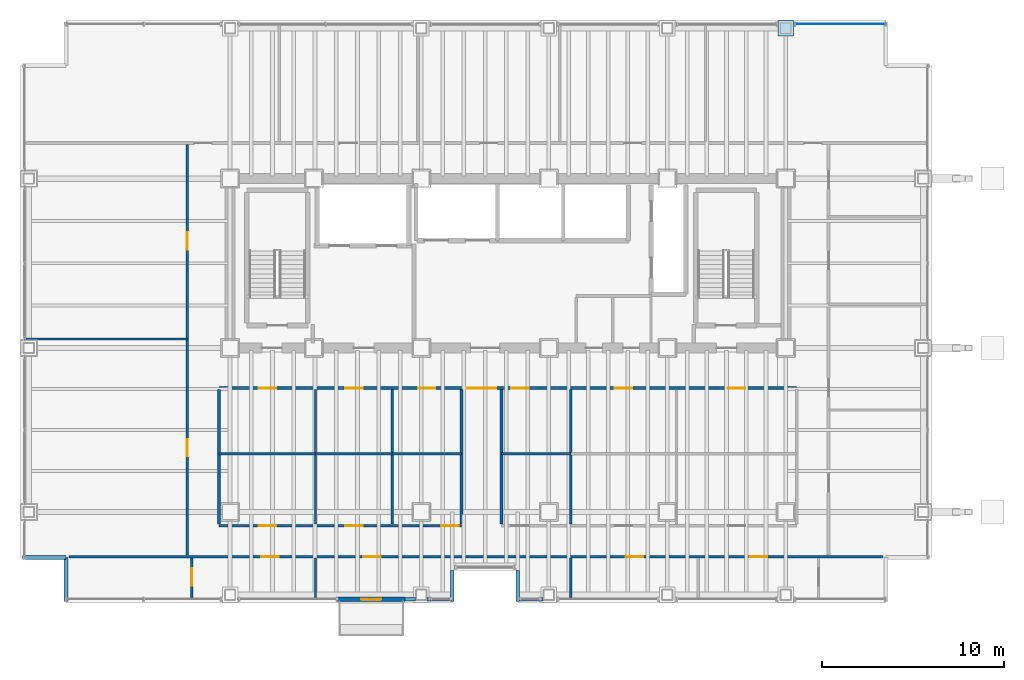
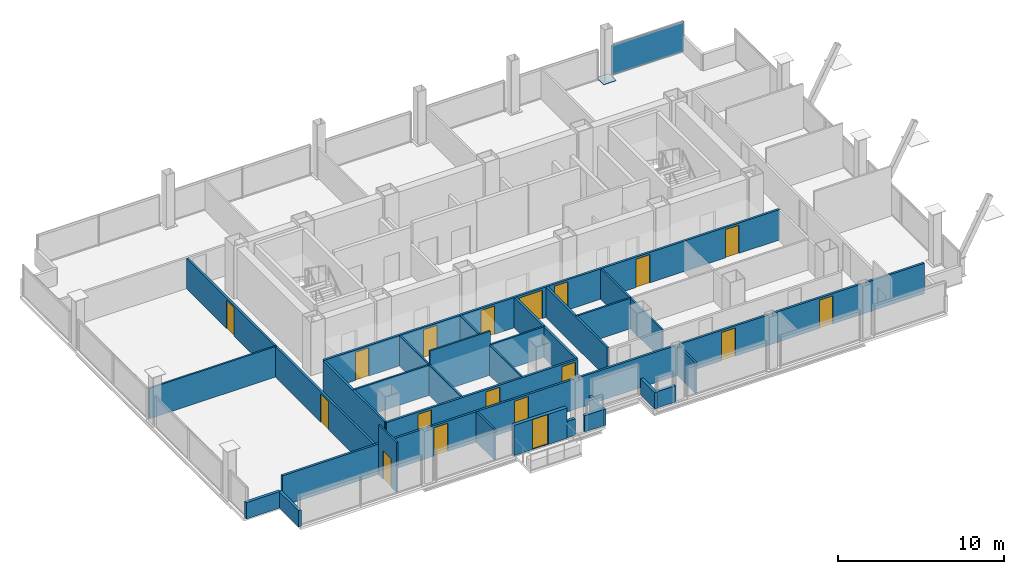
# One storey, part 18 of 21: 26 walls, 18 doors, 2 plates, 18 openings, 1 element without a shape of its own.
"""IFC4 building model written with IfcOpenShell, lengths in metres."""

from ifc_helpers import new_model, si_unit, direction, frame, frame_2d, origin, origin_2d, place, context, subcontext, project, spatial, rectangle, extrude, material, layer, layer_set, type_object, element, fill, aggregate, save


model = new_model("IFC4")

# Units and contexts
model_context = context("Model", 3, precision=1e-05, world=origin(), true_north=direction((0.0, 1.0)))
body_context = subcontext(model_context, "Body", "Model", "MODEL_VIEW")
ifc_project = project(units=[si_unit("LENGTHUNIT", "METRE"), si_unit("AREAUNIT", "SQUARE_METRE"), si_unit("VOLUMEUNIT", "CUBIC_METRE"), si_unit("PLANEANGLEUNIT", "RADIAN"), si_unit("MASSUNIT", "GRAM", prefix="KILO")], contexts=[model_context])

# Site, building, storey
site_placement = place(None, origin())
site = spatial("IfcSite", under=ifc_project, at=site_placement, CompositionType="ELEMENT")
building_placement = place(site_placement, origin())
building = spatial("IfcBuilding", under=site, at=building_placement, Name="Noeulbin Bourse Tower", CompositionType="ELEMENT")
storey_placement = place(building_placement, frame((0.0, 0.0, 49.89990234375)))
storey = spatial("IfcBuildingStorey", under=building, at=storey_placement, Name="L12", CompositionType="ELEMENT", Elevation=49.89990234375)

# Curtain wall, plate
ifc_material_1 = material(Name="Dark Solar-Control Double Glazing", Category="glass")
curtain_wall_type = type_object("IfcCurtainWallType", Name="CW-SYS-2", PredefinedType="NOTDEFINED", material=ifc_material_1)
curtain_wall_placement = place(storey_placement, origin())
curtain_wall = element("IfcCurtainWall", 1, at=curtain_wall_placement, inside=storey, type_object=curtain_wall_type, Name="Unitised Curtain Wall CW-L12-N-S6", PredefinedType="NOTDEFINED")
ifc_layer_1 = layer(ifc_material_1, 0.035888671875)
ifc_layer_set_1 = layer_set([ifc_layer_1], Name="Dark Solar-Control Double Glazing")
plate_type_1 = type_object("IfcPlateType", Name="CW-SYS-2-PNL", PredefinedType="CURTAIN_PANEL", material=ifc_layer_set_1)
plate_1_placement = place(storey_placement, frame((46.989990234375, 46.780029296875, 0.0), z_axis=(0.0, 0.0, 1.0), x_axis=(1.0, 0.0, 0.0)))
plate_1 = element("IfcPlate", 2, at=plate_1_placement, type_object=plate_type_1, Name="Glazed Curtain Panel CW-L12-N-S6-P00", PredefinedType="CURTAIN_PANEL", context=body_context, shape_type="SweptSolid", body=[
    extrude(rectangle(XDim=5.06005859375, YDim=0.035888671875, at=origin_2d()), origin(), (0.0, 0.0, 1.0), 2.219970703125),
])
aggregate(curtain_wall, [plate_1])

# Plate
ifc_material_2 = material(Name="Steel S355", Category="steel")
ifc_layer_2 = layer(ifc_material_2, 0.030029296875)
ifc_layer_set_2 = layer_set([ifc_layer_2], Name="Steel S355")
plate_type_2 = type_object("IfcPlateType", Name="PLT-BN1", PredefinedType="USERDEFINED", material=ifc_layer_set_2)
plate_2_placement = place(storey_placement, frame((44.0, 46.550048828125, 0.0048828125), z_axis=(0.0, 0.0, 1.0), x_axis=(1.0, 0.0, 0.0)))
element("IfcPlate", 3, at=plate_2_placement, inside=storey, type_object=plate_type_2, Name="Perimeter Column Splice Plate BN1-L12-13", ObjectType="SPLICE PLATE", PredefinedType="USERDEFINED", context=body_context, shape_type="SweptSolid", body=[
    extrude(rectangle(XDim=0.85009765625, YDim=0.85009765625, at=origin_2d()), origin(), (0.0, 0.0, 1.0), 0.030029296875),
])

# Wall, opening, door
ifc_material_3 = material(Name="Precast Concrete C40/50", Category="concrete")
ifc_layer_3 = layer(ifc_material_3, 0.25)
ifc_layer_set_3 = layer_set([ifc_layer_3], Name="Precast Concrete C40/50")
wall_type_1 = type_object("IfcWallType", Name="WAL-EXT-250", PredefinedType="STANDARD", material=ifc_layer_set_3)
wall_1_placement = place(storey_placement, frame((19.39990234375, 15.219970703125, 0.0), z_axis=(0.0, 0.0, 1.0), x_axis=(1.0, 0.0, 0.0)))
wall_1 = element("IfcWall", 4, at=wall_1_placement, inside=storey, type_object=wall_type_1, Name="Balcony Threshold Wall L12", PredefinedType="STANDARD", context=body_context, shape_type="SweptSolid", body=[
    extrude(rectangle(XDim=3.7001953125, YDim=0.25, at=frame_2d((1.85009765625, 0.0))), origin(), (0.0, 0.0, 1.0), 2.22021484375),
])
opening_1_placement = place(wall_1_placement, frame((1.300048828125, 0.0, 0.0)))
opening_1 = element("IfcOpeningElement", 5, at=opening_1_placement, cuts=wall_1, Name="Opening BD-11", PredefinedType="OPENING", context=body_context, shape_type="SweptSolid", body=[
    extrude(rectangle(XDim=1.10009765625, YDim=2.199951171875, at=frame_2d((0.550048828125, 1.10009765625))), frame((0.0, 0.135009765625, 0.0), z_axis=(0.0, -1.0, 0.0), x_axis=(1.0, 0.0, 0.0)), (0.0, 0.0, 1.0), 0.27001953125),
])
ifc_material_4 = material(Name="Thermally Broken Aluminium Framed Glass", Category="aluminium")
door_type_1 = type_object("IfcDoorType", Name="DR-BAL-1100", OperationType="SINGLE_SWING_LEFT", PredefinedType="DOOR", material=ifc_material_4)
door_1_placement = place(opening_1_placement, origin())
door_1 = element("IfcDoor", 6, at=door_1_placement, inside=storey, type_object=door_type_1, Name="Tree-Balcony Access Door BD-L12", OperationType="SINGLE_SWING_RIGHT", OverallHeight=2.199951171875, OverallWidth=1.10009765625, PredefinedType="DOOR", context=body_context, shape_type="SweptSolid", body=[
    extrude(rectangle(XDim=1.10009765625, YDim=2.199951171875, at=frame_2d((0.550048828125, 1.10009765625))), frame((0.0, 0.02490234375, 0.0), z_axis=(0.0, -1.0, 0.0), x_axis=(1.0, 0.0, 0.0)), (0.0, 0.0, 1.0), 0.050048828125),
])
fill(opening_1, door_1)

# Walls
ifc_material_5 = material(Name="Concrete C40/50", Category="concrete")
ifc_layer_4 = layer(ifc_material_5, 0.199951171875)
ifc_layer_set_4 = layer_set([ifc_layer_4], Name="Concrete C40/50")
wall_type_2 = type_object("IfcWallType", Name="WAL-PAR-200", PredefinedType="PARAPET", material=ifc_layer_set_4)
wall_2_placement = place(storey_placement, frame((23.10009765625, 15.219970703125, 0.0), z_axis=(0.0, 0.0, 1.0), x_axis=(1.0, 0.0, 0.0)))
element("IfcWall", 7, at=wall_2_placement, inside=storey, type_object=wall_type_2, Name="Perimeter Pier Spandrel Parapet L12-S1", PredefinedType="PARAPET", context=body_context, shape_type="SweptSolid", body=[
    extrude(rectangle(XDim=0.579833984375, YDim=0.199951171875, at=frame_2d((0.2900390625, 0.0))), origin(), (0.0, 0.0, 1.0), 1.2001953125),
])
for number, where, z_axis, x_axis, name in (
    (8, (24.320068359375, 15.219970703125, 0.0), (0.0, 0.0, 1.0), (1.0, 0.0, 0.0), "Perimeter Pier Spandrel Parapet L12-S2"),
    (9, (29.35009765625, 15.219970703125, 0.0), (0.0, 0.0, 1.0), (1.0, 0.0, 0.0), "Perimeter Pier Spandrel Parapet L12-S3"),
):
    element("IfcWall", number, at=place(storey_placement, frame(where, z_axis=z_axis, x_axis=x_axis)), inside=storey, type_object=wall_type_2, Name=name, PredefinedType="PARAPET", context=body_context, shape_type="SweptSolid", body=[
        extrude(rectangle(XDim=1.329833984375, YDim=0.199951171875, at=frame_2d((0.6650390625, 0.0))), origin(), (0.0, 0.0, 1.0), 1.2001953125),
    ])
for number, where, z_axis, x_axis, name in (
    (10, (2.10009765625, 17.5, 0.0), (0.0, 0.0, 1.0), (1.0, 0.0, 0.0), "Corner Notch Parapet L12-SW1"),
    (11, (4.5, 17.5, 0.0), (0.0, 0.0, 1.0), (0.0, -1.0, 0.0), "Corner Notch Parapet L12-SW2"),
):
    element("IfcWall", number, at=place(storey_placement, frame(where, z_axis=z_axis, x_axis=x_axis)), inside=storey, type_object=wall_type_2, Name=name, PredefinedType="PARAPET", context=body_context, shape_type="SweptSolid", body=[
        extrude(rectangle(XDim=2.39990234375, YDim=0.199951171875, at=frame_2d((1.199951171875, 0.0))), origin(), (0.0, 0.0, 1.0), 1.2001953125),
    ])
for number, where, z_axis, x_axis, name in (
    (12, (25.699951171875, 15.10009765625, 0.0), (0.0, 0.0, 1.0), (0.0, 1.0, 0.0), "Sky-Garden Recess Parapet L12-W"),
    (13, (29.300048828125, 16.800048828125, 0.0), (0.0, 0.0, 1.0), (0.0, -1.0, 0.0), "Sky-Garden Recess Parapet L12-E"),
):
    element("IfcWall", number, at=place(storey_placement, frame(where, z_axis=z_axis, x_axis=x_axis)), inside=storey, type_object=wall_type_2, Name=name, PredefinedType="PARAPET", context=body_context, shape_type="SweptSolid", body=[
        extrude(rectangle(XDim=1.699951171875, YDim=0.199951171875, at=frame_2d((0.85009765625, 0.0))), origin(), (0.0, 0.0, 1.0), 1.2001953125),
    ])
ifc_material_6 = material(Name="Steel Stud Gypsum Partition", Category="steel")
ifc_layer_5 = layer(ifc_material_6, 0.1201171875)
ifc_layer_set_5 = layer_set([ifc_layer_5], Name="Steel Stud Gypsum Partition")
wall_type_3 = type_object("IfcWallType", Name="WAL-PRT-120", PredefinedType="PARTITIONING", material=ifc_layer_set_5)
wall_3_placement = place(storey_placement, frame((12.89990234375, 23.199951171875, 0.0), z_axis=(0.0, 0.0, 1.0), x_axis=(1.0, 0.0, 0.0)))
element("IfcWall", 14, at=wall_3_placement, inside=storey, type_object=wall_type_3, Name="Interior Partition Wall L12-07", PredefinedType="PARTITIONING", context=body_context, shape_type="SweptSolid", body=[
    extrude(rectangle(XDim=5.300048828125, YDim=0.1201171875, at=frame_2d((2.64990234375, 0.0))), origin(), (0.0, 0.0, 1.0), 2.239990234375),
])
wall_4_placement = place(storey_placement, frame((18.199951171875, 23.199951171875, 0.0), z_axis=(0.0, 0.0, 1.0), x_axis=(1.0, 0.0, 0.0)))
element("IfcWall", 15, at=wall_4_placement, inside=storey, type_object=wall_type_3, Name="Interior Partition Wall L12-08", PredefinedType="PARTITIONING", context=body_context, shape_type="SweptSolid", body=[
    extrude(rectangle(XDim=4.199951171875, YDim=0.1201171875, at=frame_2d((2.10009765625, 0.0))), origin(), (0.0, 0.0, 1.0), 3.239990234375),
])
for number, where, z_axis, x_axis, name in (
    (16, (22.39990234375, 23.199951171875, 0.0), (0.0, 0.0, 1.0), (1.0, 0.0, 0.0), "Interior Partition Wall L12-09"),
    (17, (28.39990234375, 23.199951171875, 0.0), (0.0, 0.0, 1.0), (1.0, 0.0, 0.0), "Interior Partition Wall L12-10"),
):
    element("IfcWall", number, at=place(storey_placement, frame(where, z_axis=z_axis, x_axis=x_axis)), inside=storey, type_object=wall_type_3, Name=name, PredefinedType="PARTITIONING", context=body_context, shape_type="SweptSolid", body=[
        extrude(rectangle(XDim=3.800048828125, YDim=0.1201171875, at=frame_2d((1.89990234375, 0.0))), origin(), (0.0, 0.0, 1.0), 2.239990234375),
    ])
wall_5_placement = place(storey_placement, frame((2.31005859375, 29.5, 0.0), z_axis=(0.0, 0.0, 1.0), x_axis=(1.0, 0.0, 0.0)))
element("IfcWall", 18, at=wall_5_placement, inside=storey, type_object=wall_type_3, Name="Interior Partition Wall L12-13", PredefinedType="PARTITIONING", context=body_context, shape_type="SweptSolid", body=[
    extrude(rectangle(XDim=8.83984375, YDim=0.1201171875, at=frame_2d((4.419921875, 0.0))), origin(), (0.0, 0.0, 1.0), 2.239990234375),
])

# Wall, opening, door
wall_6_placement = place(storey_placement, frame((11.39990234375, 15.31005859375, 0.0), z_axis=(0.0, 0.0, 1.0), x_axis=(0.0, 1.0, 0.0)))
wall_6 = element("IfcWall", 19, at=wall_6_placement, inside=storey, type_object=wall_type_3, Name="Interior Partition Wall L12-30", PredefinedType="PARTITIONING", context=body_context, shape_type="SweptSolid", body=[
    extrude(rectangle(XDim=2.155029296875, YDim=0.1201171875, at=frame_2d((1.07763671875, 0.0))), origin(), (0.0, 0.0, 1.0), 3.66015625),
])
opening_2_placement = place(wall_6_placement, frame((0.64501953125, 0.0, 0.0)))
opening_2 = element("IfcOpeningElement", 20, at=opening_2_placement, cuts=wall_6, Name="Opening ID-09", PredefinedType="OPENING", context=body_context, shape_type="SweptSolid", body=[
    extrude(rectangle(XDim=0.949951171875, YDim=2.080078125, at=frame_2d((0.47509765625, 1.0400390625))), frame((0.0, 0.070068359375, 0.0), z_axis=(0.0, -1.0, 0.0), x_axis=(1.0, 0.0, 0.0)), (0.0, 0.0, 1.0), 0.14013671875),
])
ifc_material_7 = material(Name="Acoustic Solid-Core Timber", Category="wood")
door_type_2 = type_object("IfcDoorType", Name="DR-SINGLE-950", OperationType="SINGLE_SWING_LEFT", PredefinedType="DOOR", material=ifc_material_7)
door_2_placement = place(opening_2_placement, origin())
door_2 = element("IfcDoor", 21, at=door_2_placement, inside=storey, type_object=door_type_2, Name="Interior Door L12-08", OperationType="SINGLE_SWING_LEFT", OverallHeight=2.080078125, OverallWidth=0.949951171875, PredefinedType="DOOR", context=body_context, shape_type="SweptSolid", body=[
    extrude(rectangle(XDim=0.949951171875, YDim=2.080078125, at=frame_2d((0.47509765625, 1.0400390625))), frame((0.0, 0.02490234375, 0.0), z_axis=(0.0, -1.0, 0.0), x_axis=(1.0, 0.0, 0.0)), (0.0, 0.0, 1.0), 0.050048828125),
])
fill(opening_2, door_2)

# Walls
for number, where, z_axis, x_axis, name in (
    (22, (18.199951171875, 15.31005859375, 0.0), (0.0, 0.0, 1.0), (0.0, 1.0, 0.0), "Interior Partition Wall L12-31"),
    (23, (32.199951171875, 15.31005859375, 0.0), (0.0, 0.0, 1.0), (0.0, 1.0, 0.0), "Interior Partition Wall L12-32"),
):
    element("IfcWall", number, at=place(storey_placement, frame(where, z_axis=z_axis, x_axis=x_axis)), inside=storey, type_object=wall_type_3, Name=name, PredefinedType="PARTITIONING", context=body_context, shape_type="SweptSolid", body=[
        extrude(rectangle(XDim=2.155029296875, YDim=0.1201171875, at=frame_2d((1.07763671875, 0.0))), origin(), (0.0, 0.0, 1.0), 2.239990234375),
    ])
for number, where, z_axis, x_axis, name in (
    (24, (18.199951171875, 19.3349609375, 0.0), (0.0, 0.0, 1.0), (0.0, 1.0, 0.0), "Interior Partition Wall L12-35"),
    (25, (22.39990234375, 19.3349609375, 0.0), (0.0, 0.0, 1.0), (0.0, 1.0, 0.0), "Interior Partition Wall L12-36"),
    (26, (32.199951171875, 19.3349609375, 0.0), (0.0, 0.0, 1.0), (0.0, 1.0, 0.0), "Interior Partition Wall L12-37"),
):
    element("IfcWall", number, at=place(storey_placement, frame(where, z_axis=z_axis, x_axis=x_axis)), inside=storey, type_object=wall_type_3, Name=name, PredefinedType="PARTITIONING", context=body_context, shape_type="SweptSolid", body=[
        extrude(rectangle(XDim=7.380126953125, YDim=0.1201171875, at=frame_2d((3.68994140625, 0.0))), origin(), (0.0, 0.0, 1.0), 2.239990234375),
    ])

# Wall, openings, doors
ifc_material_8 = material(Name="Steel Stud Acoustic Gypsum Board", Category="steel")
ifc_layer_6 = layer(ifc_material_8, 0.14990234375)
ifc_layer_set_6 = layer_set([ifc_layer_6], Name="Steel Stud Acoustic Gypsum Board")
wall_type_4 = type_object("IfcWallType", Name="WAL-PRT-150", PredefinedType="PARTITIONING", material=ifc_layer_set_6)
wall_7_placement = place(storey_placement, frame((12.89990234375, 26.800048828125, 0.0), z_axis=(0.0, 0.0, 1.0), x_axis=(1.0, 0.0, 0.0)))
wall_7 = element("IfcWall", 27, at=wall_7_placement, inside=storey, type_object=wall_type_4, Name="Interior Partition Wall L12-03", PredefinedType="PARTITIONING", context=body_context, shape_type="SweptSolid", body=[
    extrude(rectangle(XDim=31.7001953125, YDim=0.14990234375, at=frame_2d((15.85009765625, 0.0))), origin(), (0.0, 0.0, 1.0), 2.239990234375),
])
opening_3_placement = place(wall_7_placement, frame((13.60009765625, 0.0, 0.0)))
opening_3 = element("IfcOpeningElement", 28, at=opening_3_placement, cuts=wall_7, Name="Opening ID-16", PredefinedType="OPENING", context=body_context, shape_type="SweptSolid", body=[
    extrude(rectangle(XDim=1.60009765625, YDim=2.080078125, at=frame_2d((0.800048828125, 1.0400390625))), frame((0.0, 0.0849609375, 0.0), z_axis=(0.0, -1.0, 0.0), x_axis=(1.0, 0.0, 0.0)), (0.0, 0.0, 1.0), 0.169921875),
])
opening_4_placement = place(wall_7_placement, frame((2.175048828125, 0.0, 0.0)))
opening_4 = element("IfcOpeningElement", 29, at=opening_4_placement, cuts=wall_7, Name="Opening ID-09", PredefinedType="OPENING", context=body_context, shape_type="SweptSolid", body=[
    extrude(rectangle(XDim=0.949951171875, YDim=2.080078125, at=frame_2d((0.47509765625, 1.0400390625))), frame((0.0, 0.0849609375, 0.0), z_axis=(0.0, -1.0, 0.0), x_axis=(1.0, 0.0, 0.0)), (0.0, 0.0, 1.0), 0.169921875),
])
opening_5_placement = place(wall_7_placement, frame((6.925048828125, 0.0, 0.0)))
opening_5 = element("IfcOpeningElement", 30, at=opening_5_placement, cuts=wall_7, Name="Opening ID-09", PredefinedType="OPENING", context=body_context, shape_type="SweptSolid", body=[
    extrude(rectangle(XDim=0.949951171875, YDim=2.080078125, at=frame_2d((0.47509765625, 1.0400390625))), frame((0.0, 0.0849609375, 0.0), z_axis=(0.0, -1.0, 0.0), x_axis=(1.0, 0.0, 0.0)), (0.0, 0.0, 1.0), 0.169921875),
])
opening_6_placement = place(wall_7_placement, frame((10.925048828125, 0.0, 0.0)))
opening_6 = element("IfcOpeningElement", 31, at=opening_6_placement, cuts=wall_7, Name="Opening ID-09", PredefinedType="OPENING", context=body_context, shape_type="SweptSolid", body=[
    extrude(rectangle(XDim=0.949951171875, YDim=2.080078125, at=frame_2d((0.47509765625, 1.0400390625))), frame((0.0, 0.0849609375, 0.0), z_axis=(0.0, -1.0, 0.0), x_axis=(1.0, 0.0, 0.0)), (0.0, 0.0, 1.0), 0.169921875),
])
opening_7_placement = place(wall_7_placement, frame((16.02490234375, 0.0, 0.0)))
opening_7 = element("IfcOpeningElement", 32, at=opening_7_placement, cuts=wall_7, Name="Opening ID-09", PredefinedType="OPENING", context=body_context, shape_type="SweptSolid", body=[
    extrude(rectangle(XDim=0.949951171875, YDim=2.080078125, at=frame_2d((0.47509765625, 1.0400390625))), frame((0.0, 0.0849609375, 0.0), z_axis=(0.0, -1.0, 0.0), x_axis=(1.0, 0.0, 0.0)), (0.0, 0.0, 1.0), 0.169921875),
])
opening_8_placement = place(wall_7_placement, frame((21.72509765625, 0.0, 0.0)))
opening_8 = element("IfcOpeningElement", 33, at=opening_8_placement, cuts=wall_7, Name="Opening ID-09", PredefinedType="OPENING", context=body_context, shape_type="SweptSolid", body=[
    extrude(rectangle(XDim=0.949951171875, YDim=2.080078125, at=frame_2d((0.47509765625, 1.0400390625))), frame((0.0, 0.0849609375, 0.0), z_axis=(0.0, -1.0, 0.0), x_axis=(1.0, 0.0, 0.0)), (0.0, 0.0, 1.0), 0.169921875),
])
opening_9_placement = place(wall_7_placement, frame((27.925048828125, 0.0, 0.0)))
opening_9 = element("IfcOpeningElement", 34, at=opening_9_placement, cuts=wall_7, Name="Opening ID-09", PredefinedType="OPENING", context=body_context, shape_type="SweptSolid", body=[
    extrude(rectangle(XDim=0.949951171875, YDim=2.080078125, at=frame_2d((0.47509765625, 1.0400390625))), frame((0.0, 0.0849609375, 0.0), z_axis=(0.0, -1.0, 0.0), x_axis=(1.0, 0.0, 0.0)), (0.0, 0.0, 1.0), 0.169921875),
])
ifc_material_9 = material(Name="Acoustic Glazed Aluminium", Category="aluminium")
door_type_3 = type_object("IfcDoorType", Name="DR-DBL-1600", OperationType="DOUBLE_DOOR_SINGLE_SWING", PredefinedType="DOOR", material=ifc_material_9)
door_3_placement = place(opening_3_placement, origin())
door_3 = element("IfcDoor", 35, at=door_3_placement, inside=storey, type_object=door_type_3, Name="Interior Door L12-07", OperationType="DOUBLE_DOOR_SINGLE_SWING", OverallHeight=2.080078125, OverallWidth=1.60009765625, PredefinedType="DOOR", context=body_context, shape_type="SweptSolid", body=[
    extrude(rectangle(XDim=1.60009765625, YDim=2.080078125, at=frame_2d((0.800048828125, 1.0400390625))), frame((0.0, 0.02490234375, 0.0), z_axis=(0.0, -1.0, 0.0), x_axis=(1.0, 0.0, 0.0)), (0.0, 0.0, 1.0), 0.050048828125),
])
fill(opening_3, door_3)
door_4_placement = place(opening_4_placement, origin())
door_4 = element("IfcDoor", 36, at=door_4_placement, inside=storey, type_object=door_type_2, Name="Interior Door L12-14", OperationType="SINGLE_SWING_LEFT", OverallHeight=2.080078125, OverallWidth=0.949951171875, PredefinedType="DOOR", context=body_context, shape_type="SweptSolid", body=[
    extrude(rectangle(XDim=0.949951171875, YDim=2.080078125, at=frame_2d((0.47509765625, 1.0400390625))), frame((0.0, 0.02490234375, 0.0), z_axis=(0.0, -1.0, 0.0), x_axis=(1.0, 0.0, 0.0)), (0.0, 0.0, 1.0), 0.050048828125),
])
fill(opening_4, door_4)
door_5_placement = place(opening_5_placement, origin())
door_5 = element("IfcDoor", 37, at=door_5_placement, inside=storey, type_object=door_type_2, Name="Interior Door L12-16", OperationType="SINGLE_SWING_LEFT", OverallHeight=2.080078125, OverallWidth=0.949951171875, PredefinedType="DOOR", context=body_context, shape_type="SweptSolid", body=[
    extrude(rectangle(XDim=0.949951171875, YDim=2.080078125, at=frame_2d((0.47509765625, 1.0400390625))), frame((0.0, 0.02490234375, 0.0), z_axis=(0.0, -1.0, 0.0), x_axis=(1.0, 0.0, 0.0)), (0.0, 0.0, 1.0), 0.050048828125),
])
fill(opening_5, door_5)
door_6_placement = place(opening_6_placement, origin())
door_6 = element("IfcDoor", 38, at=door_6_placement, inside=storey, type_object=door_type_2, Name="Interior Door L12-18", OperationType="SINGLE_SWING_LEFT", OverallHeight=2.080078125, OverallWidth=0.949951171875, PredefinedType="DOOR", context=body_context, shape_type="SweptSolid", body=[
    extrude(rectangle(XDim=0.949951171875, YDim=2.080078125, at=frame_2d((0.47509765625, 1.0400390625))), frame((0.0, 0.02490234375, 0.0), z_axis=(0.0, -1.0, 0.0), x_axis=(1.0, 0.0, 0.0)), (0.0, 0.0, 1.0), 0.050048828125),
])
fill(opening_6, door_6)
door_7_placement = place(opening_7_placement, origin())
door_7 = element("IfcDoor", 39, at=door_7_placement, inside=storey, type_object=door_type_2, Name="Interior Door L12-20", OperationType="SINGLE_SWING_LEFT", OverallHeight=2.080078125, OverallWidth=0.949951171875, PredefinedType="DOOR", context=body_context, shape_type="SweptSolid", body=[
    extrude(rectangle(XDim=0.949951171875, YDim=2.080078125, at=frame_2d((0.47509765625, 1.0400390625))), frame((0.0, 0.02490234375, 0.0), z_axis=(0.0, -1.0, 0.0), x_axis=(1.0, 0.0, 0.0)), (0.0, 0.0, 1.0), 0.050048828125),
])
fill(opening_7, door_7)
door_8_placement = place(opening_8_placement, origin())
door_8 = element("IfcDoor", 40, at=door_8_placement, inside=storey, type_object=door_type_2, Name="Interior Door L12-22", OperationType="SINGLE_SWING_LEFT", OverallHeight=2.080078125, OverallWidth=0.949951171875, PredefinedType="DOOR", context=body_context, shape_type="SweptSolid", body=[
    extrude(rectangle(XDim=0.949951171875, YDim=2.080078125, at=frame_2d((0.47509765625, 1.0400390625))), frame((0.0, 0.02490234375, 0.0), z_axis=(0.0, -1.0, 0.0), x_axis=(1.0, 0.0, 0.0)), (0.0, 0.0, 1.0), 0.050048828125),
])
fill(opening_8, door_8)
door_9_placement = place(opening_9_placement, origin())
door_9 = element("IfcDoor", 41, at=door_9_placement, inside=storey, type_object=door_type_2, Name="Interior Door L12-24", OperationType="SINGLE_SWING_LEFT", OverallHeight=2.080078125, OverallWidth=0.949951171875, PredefinedType="DOOR", context=body_context, shape_type="SweptSolid", body=[
    extrude(rectangle(XDim=0.949951171875, YDim=2.080078125, at=frame_2d((0.47509765625, 1.0400390625))), frame((0.0, 0.02490234375, 0.0), z_axis=(0.0, -1.0, 0.0), x_axis=(1.0, 0.0, 0.0)), (0.0, 0.0, 1.0), 0.050048828125),
])
fill(opening_9, door_9)

wall_8_placement = place(storey_placement, frame((4.659912109375, 17.550048828125, 0.0), z_axis=(0.0, 0.0, 1.0), x_axis=(1.0, 0.0, 0.0)))
wall_8 = element("IfcWall", 42, at=wall_8_placement, inside=storey, type_object=wall_type_4, Name="Interior Partition Wall L12-04", PredefinedType="PARTITIONING", context=body_context, shape_type="SweptSolid", body=[
    extrude(rectangle(XDim=44.68017578125, YDim=0.14990234375, at=frame_2d((22.340087890625, 0.0))), origin(), (0.0, 0.0, 1.0), 2.239990234375),
])
opening_10_placement = place(wall_8_placement, frame((10.56494140625, 0.0, 0.0)))
opening_10 = element("IfcOpeningElement", 43, at=opening_10_placement, cuts=wall_8, Name="Opening ID-09", PredefinedType="OPENING", context=body_context, shape_type="SweptSolid", body=[
    extrude(rectangle(XDim=0.949951171875, YDim=2.080078125, at=frame_2d((0.47509765625, 1.0400390625))), frame((0.0, 0.0849609375, 0.0), z_axis=(0.0, -1.0, 0.0), x_axis=(1.0, 0.0, 0.0)), (0.0, 0.0, 1.0), 0.169921875),
])
opening_11_placement = place(wall_8_placement, frame((16.1650390625, 0.0, 0.0)))
opening_11 = element("IfcOpeningElement", 44, at=opening_11_placement, cuts=wall_8, Name="Opening ID-09", PredefinedType="OPENING", context=body_context, shape_type="SweptSolid", body=[
    extrude(rectangle(XDim=0.949951171875, YDim=2.080078125, at=frame_2d((0.47509765625, 1.0400390625))), frame((0.0, 0.0849609375, 0.0), z_axis=(0.0, -1.0, 0.0), x_axis=(1.0, 0.0, 0.0)), (0.0, 0.0, 1.0), 0.169921875),
])
opening_12_placement = place(wall_8_placement, frame((30.56494140625, 0.0, 0.0)))
opening_12 = element("IfcOpeningElement", 45, at=opening_12_placement, cuts=wall_8, Name="Opening ID-09", PredefinedType="OPENING", context=body_context, shape_type="SweptSolid", body=[
    extrude(rectangle(XDim=0.949951171875, YDim=2.080078125, at=frame_2d((0.47509765625, 1.0400390625))), frame((0.0, 0.0849609375, 0.0), z_axis=(0.0, -1.0, 0.0), x_axis=(1.0, 0.0, 0.0)), (0.0, 0.0, 1.0), 0.169921875),
])
opening_13_placement = place(wall_8_placement, frame((37.364990234375, 0.0, 0.0)))
opening_13 = element("IfcOpeningElement", 46, at=opening_13_placement, cuts=wall_8, Name="Opening ID-09", PredefinedType="OPENING", context=body_context, shape_type="SweptSolid", body=[
    extrude(rectangle(XDim=0.949951171875, YDim=2.080078125, at=frame_2d((0.47509765625, 1.0400390625))), frame((0.0, 0.0849609375, 0.0), z_axis=(0.0, -1.0, 0.0), x_axis=(1.0, 0.0, 0.0)), (0.0, 0.0, 1.0), 0.169921875),
])
door_10_placement = place(opening_10_placement, origin())
door_10 = element("IfcDoor", 47, at=door_10_placement, inside=storey, type_object=door_type_2, Name="Interior Door L12-09", OperationType="SINGLE_SWING_RIGHT", OverallHeight=2.080078125, OverallWidth=0.949951171875, PredefinedType="DOOR", context=body_context, shape_type="SweptSolid", body=[
    extrude(rectangle(XDim=0.949951171875, YDim=2.080078125, at=frame_2d((0.47509765625, 1.0400390625))), frame((0.0, 0.02490234375, 0.0), z_axis=(0.0, -1.0, 0.0), x_axis=(1.0, 0.0, 0.0)), (0.0, 0.0, 1.0), 0.050048828125),
])
fill(opening_10, door_10)
door_11_placement = place(opening_11_placement, origin())
door_11 = element("IfcDoor", 48, at=door_11_placement, inside=storey, type_object=door_type_2, Name="Interior Door L12-10", OperationType="SINGLE_SWING_LEFT", OverallHeight=2.080078125, OverallWidth=0.949951171875, PredefinedType="DOOR", context=body_context, shape_type="SweptSolid", body=[
    extrude(rectangle(XDim=0.949951171875, YDim=2.080078125, at=frame_2d((0.47509765625, 1.0400390625))), frame((0.0, 0.02490234375, 0.0), z_axis=(0.0, -1.0, 0.0), x_axis=(1.0, 0.0, 0.0)), (0.0, 0.0, 1.0), 0.050048828125),
])
fill(opening_11, door_11)
door_12_placement = place(opening_12_placement, origin())
door_12 = element("IfcDoor", 49, at=door_12_placement, inside=storey, type_object=door_type_2, Name="Interior Door L12-11", OperationType="SINGLE_SWING_RIGHT", OverallHeight=2.080078125, OverallWidth=0.949951171875, PredefinedType="DOOR", context=body_context, shape_type="SweptSolid", body=[
    extrude(rectangle(XDim=0.949951171875, YDim=2.080078125, at=frame_2d((0.47509765625, 1.0400390625))), frame((0.0, 0.02490234375, 0.0), z_axis=(0.0, -1.0, 0.0), x_axis=(1.0, 0.0, 0.0)), (0.0, 0.0, 1.0), 0.050048828125),
])
fill(opening_12, door_12)
door_13_placement = place(opening_13_placement, origin())
door_13 = element("IfcDoor", 50, at=door_13_placement, inside=storey, type_object=door_type_2, Name="Interior Door L12-12", OperationType="SINGLE_SWING_LEFT", OverallHeight=2.080078125, OverallWidth=0.949951171875, PredefinedType="DOOR", context=body_context, shape_type="SweptSolid", body=[
    extrude(rectangle(XDim=0.949951171875, YDim=2.080078125, at=frame_2d((0.47509765625, 1.0400390625))), frame((0.0, 0.02490234375, 0.0), z_axis=(0.0, -1.0, 0.0), x_axis=(1.0, 0.0, 0.0)), (0.0, 0.0, 1.0), 0.050048828125),
])
fill(opening_13, door_13)

wall_9_placement = place(storey_placement, frame((12.89990234375, 19.25, 0.0), z_axis=(0.0, 0.0, 1.0), x_axis=(1.0, 0.0, 0.0)))
wall_9 = element("IfcWall", 51, at=wall_9_placement, inside=storey, type_object=wall_type_4, Name="Interior Partition Wall L12-05", PredefinedType="PARTITIONING", context=body_context, shape_type="SweptSolid", body=[
    extrude(rectangle(XDim=13.300048828125, YDim=0.14990234375, at=frame_2d((6.64990234375, 0.0))), origin(), (0.0, 0.0, 1.0), 2.239990234375),
])
opening_14_placement = place(wall_9_placement, frame((2.175048828125, 0.0, 0.0)))
opening_14 = element("IfcOpeningElement", 52, at=opening_14_placement, cuts=wall_9, Name="Opening ID-09", PredefinedType="OPENING", context=body_context, shape_type="SweptSolid", body=[
    extrude(rectangle(XDim=0.949951171875, YDim=2.080078125, at=frame_2d((0.47509765625, 1.0400390625))), frame((0.0, 0.0849609375, 0.0), z_axis=(0.0, -1.0, 0.0), x_axis=(1.0, 0.0, 0.0)), (0.0, 0.0, 1.0), 0.169921875),
])
opening_15_placement = place(wall_9_placement, frame((6.925048828125, 0.0, 0.0)))
opening_15 = element("IfcOpeningElement", 53, at=opening_15_placement, cuts=wall_9, Name="Opening ID-09", PredefinedType="OPENING", context=body_context, shape_type="SweptSolid", body=[
    extrude(rectangle(XDim=0.949951171875, YDim=2.080078125, at=frame_2d((0.47509765625, 1.0400390625))), frame((0.0, 0.0849609375, 0.0), z_axis=(0.0, -1.0, 0.0), x_axis=(1.0, 0.0, 0.0)), (0.0, 0.0, 1.0), 0.169921875),
])
opening_16_placement = place(wall_9_placement, frame((12.18994140625, 0.0, 0.0)))
opening_16 = element("IfcOpeningElement", 54, at=opening_16_placement, cuts=wall_9, Name="Opening ID-09", PredefinedType="OPENING", context=body_context, shape_type="SweptSolid", body=[
    extrude(rectangle(XDim=0.949951171875, YDim=2.080078125, at=frame_2d((0.47509765625, 1.0400390625))), frame((0.0, 0.0849609375, 0.0), z_axis=(0.0, -1.0, 0.0), x_axis=(1.0, 0.0, 0.0)), (0.0, 0.0, 1.0), 0.169921875),
])
door_14_placement = place(opening_14_placement, origin())
door_14 = element("IfcDoor", 55, at=door_14_placement, inside=storey, type_object=door_type_2, Name="Interior Door L12-15", OperationType="SINGLE_SWING_RIGHT", OverallHeight=2.080078125, OverallWidth=0.949951171875, PredefinedType="DOOR", context=body_context, shape_type="SweptSolid", body=[
    extrude(rectangle(XDim=0.949951171875, YDim=2.080078125, at=frame_2d((0.47509765625, 1.0400390625))), frame((0.0, 0.02490234375, 0.0), z_axis=(0.0, -1.0, 0.0), x_axis=(1.0, 0.0, 0.0)), (0.0, 0.0, 1.0), 0.050048828125),
])
fill(opening_14, door_14)
door_15_placement = place(opening_15_placement, origin())
door_15 = element("IfcDoor", 56, at=door_15_placement, inside=storey, type_object=door_type_2, Name="Interior Door L12-17", OperationType="SINGLE_SWING_RIGHT", OverallHeight=2.080078125, OverallWidth=0.949951171875, PredefinedType="DOOR", context=body_context, shape_type="SweptSolid", body=[
    extrude(rectangle(XDim=0.949951171875, YDim=2.080078125, at=frame_2d((0.47509765625, 1.0400390625))), frame((0.0, 0.02490234375, 0.0), z_axis=(0.0, -1.0, 0.0), x_axis=(1.0, 0.0, 0.0)), (0.0, 0.0, 1.0), 0.050048828125),
])
fill(opening_15, door_15)
door_16_placement = place(opening_16_placement, origin())
door_16 = element("IfcDoor", 57, at=door_16_placement, inside=storey, type_object=door_type_2, Name="Interior Door L12-19", OperationType="SINGLE_SWING_RIGHT", OverallHeight=2.080078125, OverallWidth=0.949951171875, PredefinedType="DOOR", context=body_context, shape_type="SweptSolid", body=[
    extrude(rectangle(XDim=0.949951171875, YDim=2.080078125, at=frame_2d((0.47509765625, 1.0400390625))), frame((0.0, 0.02490234375, 0.0), z_axis=(0.0, -1.0, 0.0), x_axis=(1.0, 0.0, 0.0)), (0.0, 0.0, 1.0), 0.050048828125),
])
fill(opening_16, door_16)

# Walls
for number, where, z_axis, x_axis, name in (
    (58, (26.199951171875, 19.3349609375, 0.0), (0.0, 0.0, 1.0), (0.0, 1.0, 0.0), "Interior Partition Wall L12-24"),
    (59, (28.39990234375, 19.3349609375, 0.0), (0.0, 0.0, 1.0), (0.0, 1.0, 0.0), "Interior Partition Wall L12-25"),
):
    element("IfcWall", number, at=place(storey_placement, frame(where, z_axis=z_axis, x_axis=x_axis)), inside=storey, type_object=wall_type_4, Name=name, PredefinedType="PARTITIONING", context=body_context, shape_type="SweptSolid", body=[
        extrude(rectangle(XDim=7.380126953125, YDim=0.14990234375, at=frame_2d((3.68994140625, 0.0))), origin(), (0.0, 0.0, 1.0), 2.239990234375),
    ])

# Wall, openings, doors
wall_10_placement = place(storey_placement, frame((11.14990234375, 17.635009765625, 0.0), z_axis=(0.0, 0.0, 1.0), x_axis=(0.0, 1.0, 0.0)))
wall_10 = element("IfcWall", 60, at=wall_10_placement, inside=storey, type_object=wall_type_4, Name="Interior Partition Wall L12-26", PredefinedType="PARTITIONING", context=body_context, shape_type="SweptSolid", body=[
    extrude(rectangle(XDim=22.530029296875, YDim=0.14990234375, at=frame_2d((11.26513671875, 0.0))), origin(), (0.0, 0.0, 1.0), 2.239990234375),
])
opening_17_placement = place(wall_10_placement, frame((5.4150390625, 0.0, 0.0)))
opening_17 = element("IfcOpeningElement", 61, at=opening_17_placement, cuts=wall_10, Name="Opening ID-09", PredefinedType="OPENING", context=body_context, shape_type="SweptSolid", body=[
    extrude(rectangle(XDim=0.949951171875, YDim=2.080078125, at=frame_2d((0.47509765625, 1.0400390625))), frame((0.0, 0.0849609375, 0.0), z_axis=(0.0, -1.0, 0.0), x_axis=(1.0, 0.0, 0.0)), (0.0, 0.0, 1.0), 0.169921875),
])
opening_18_placement = place(wall_10_placement, frame((16.764892578125, 0.0, 0.0)))
opening_18 = element("IfcOpeningElement", 62, at=opening_18_placement, cuts=wall_10, Name="Opening ID-09", PredefinedType="OPENING", context=body_context, shape_type="SweptSolid", body=[
    extrude(rectangle(XDim=0.949951171875, YDim=2.080078125, at=frame_2d((0.47509765625, 1.0400390625))), frame((0.0, 0.0849609375, 0.0), z_axis=(0.0, -1.0, 0.0), x_axis=(1.0, 0.0, 0.0)), (0.0, 0.0, 1.0), 0.169921875),
])
door_17_placement = place(opening_17_placement, origin())
door_17 = element("IfcDoor", 63, at=door_17_placement, inside=storey, type_object=door_type_2, Name="Interior Door L12-26", OperationType="SINGLE_SWING_LEFT", OverallHeight=2.080078125, OverallWidth=0.949951171875, PredefinedType="DOOR", context=body_context, shape_type="SweptSolid", body=[
    extrude(rectangle(XDim=0.949951171875, YDim=2.080078125, at=frame_2d((0.47509765625, 1.0400390625))), frame((0.0, 0.02490234375, 0.0), z_axis=(0.0, -1.0, 0.0), x_axis=(1.0, 0.0, 0.0)), (0.0, 0.0, 1.0), 0.050048828125),
])
fill(opening_17, door_17)
door_18_placement = place(opening_18_placement, origin())
door_18 = element("IfcDoor", 64, at=door_18_placement, inside=storey, type_object=door_type_2, Name="Interior Door L12-27", OperationType="SINGLE_SWING_RIGHT", OverallHeight=2.080078125, OverallWidth=0.949951171875, PredefinedType="DOOR", context=body_context, shape_type="SweptSolid", body=[
    extrude(rectangle(XDim=0.949951171875, YDim=2.080078125, at=frame_2d((0.47509765625, 1.0400390625))), frame((0.0, 0.02490234375, 0.0), z_axis=(0.0, -1.0, 0.0), x_axis=(1.0, 0.0, 0.0)), (0.0, 0.0, 1.0), 0.050048828125),
])
fill(opening_18, door_18)

# Wall
wall_11_placement = place(storey_placement, frame((12.89990234375, 19.3349609375, 0.0), z_axis=(0.0, 0.0, 1.0), x_axis=(0.0, 1.0, 0.0)))
element("IfcWall", 65, at=wall_11_placement, inside=storey, type_object=wall_type_4, Name="Interior Partition Wall L12-27", PredefinedType="PARTITIONING", context=body_context, shape_type="SweptSolid", body=[
    extrude(rectangle(XDim=7.380126953125, YDim=0.14990234375, at=frame_2d((3.68994140625, 0.0))), origin(), (0.0, 0.0, 1.0), 2.239990234375),
])

save(model, "model.ifc")
